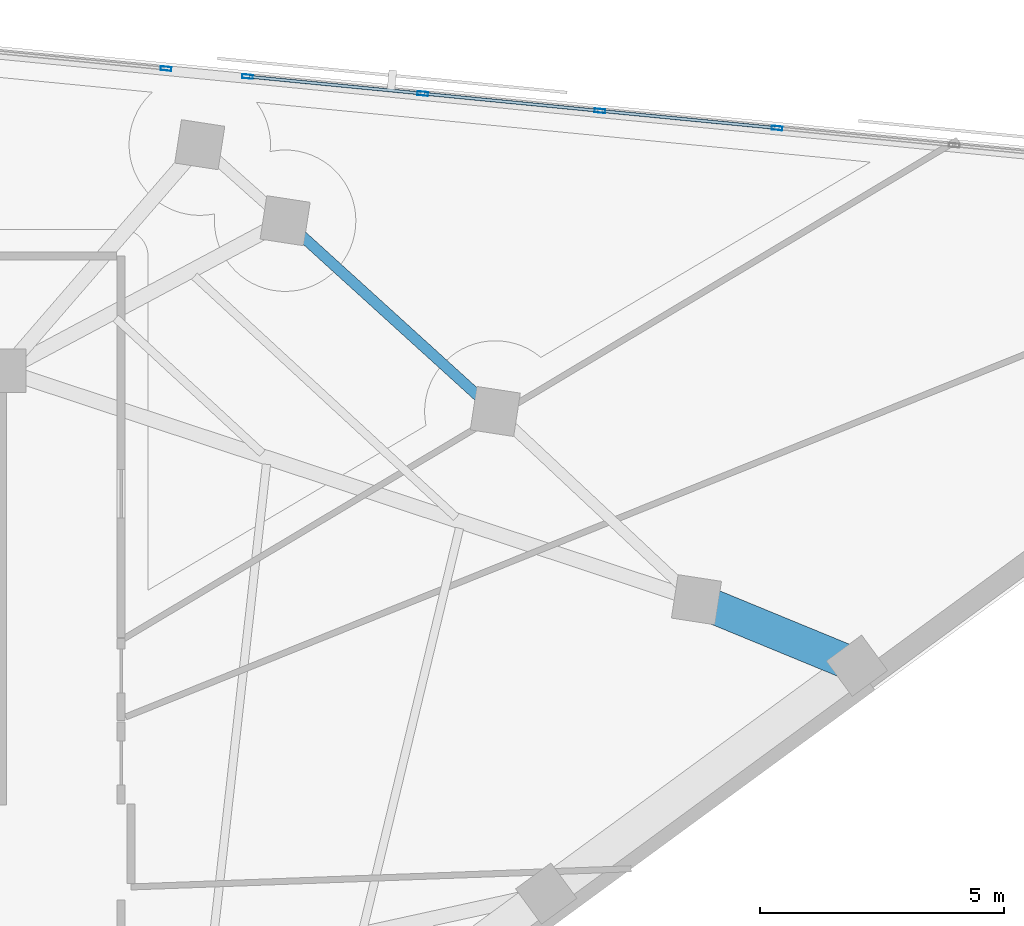
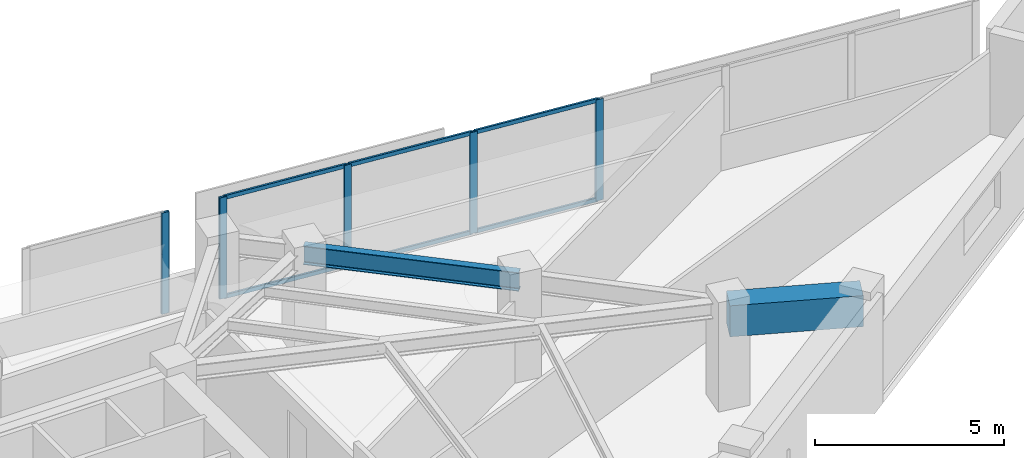
# One storey, part 5 of 13: 11 members, 2 beams, 2 elements without a shape of their own.
"""IFC4 building model written with IfcOpenShell, lengths in metres."""

import ifcopenshell
import ifcopenshell.guid

model = None  # the IFC model being written
_history = None  # IfcOwnerHistory: only IFC2X3 demands one
_inside = {}  # id of a spatial element -> (the spatial element, [elements in it])
_under = {}  # id of a project, library or spatial element -> (it, [spatial elements below it])
_declared = {}  # id of a project -> (the project, [libraries it declares])
_typed = {}  # id of a type object -> (the type object, [elements of that type])
_made_of = {}  # id of a material, layer set ... -> (it, [elements and type objects made of it])


def new_model(schema):
    """Start an empty IFC model of exactly this schema.

    Asked for "IFC4X3", IfcOpenShell would pick the latest addendum, in which some entities
    have other attributes; the version numbers below select the first issue.
    IFC2X3 requires an IfcOwnerHistory on every rooted entity: one is made here for all.
    """
    global model, _history
    if schema == "IFC4X3":
        model = ifcopenshell.file(schema_version=(4, 3, 0, 0))
    else:
        model = ifcopenshell.file(schema=schema)
    _inside.clear()
    _under.clear()
    _declared.clear()
    _typed.clear()
    _made_of.clear()
    _history = None
    if model.schema == "IFC2X3":
        org = make("IfcOrganization", Name="unknown")
        user = make(
            "IfcPersonAndOrganization",
            ThePerson=make("IfcPerson", FamilyName="unknown"),
            TheOrganization=org,
        )
        app = make(
            "IfcApplication",
            ApplicationDeveloper=org,
            Version="unknown",
            ApplicationFullName="unknown",
            ApplicationIdentifier="unknown",
        )
        _history = make(
            "IfcOwnerHistory",
            OwningUser=user,
            OwningApplication=app,
            ChangeAction="ADDED",
            CreationDate=0,
        )
    return model


def make(cls, **values):
    """One entity of the class cls with the attributes given. An attribute that is None is left unset."""
    return model.create_entity(
        cls, **{name: value for name, value in values.items() if value is not None}
    )


def rooted(cls, **values):
    """An entity with a GlobalId (a new one), such as an element, a storey or a relation."""
    return make(cls, GlobalId=ifcopenshell.guid.new(), OwnerHistory=_history, **values)


def si_unit(unit_type, name, prefix=None):
    """IfcSIUnit, for example si_unit("LENGTHUNIT", "METRE", prefix="MILLI")."""
    return make("IfcSIUnit", UnitType=unit_type, Prefix=prefix, Name=name)


def assignment(units):
    """IfcUnitAssignment: the units of a project."""
    return None if units is None else make("IfcUnitAssignment", Units=units)


def point(xyz):
    """IfcCartesianPoint."""
    return None if xyz is None else make("IfcCartesianPoint", Coordinates=xyz)


def direction(xyz):
    """IfcDirection."""
    return None if xyz is None else make("IfcDirection", DirectionRatios=xyz)


def frame(location, z_axis=None, x_axis=None):
    """IfcAxis2Placement3D, a coordinate frame: its origin and axes. An axis left out is left unset."""
    return make(
        "IfcAxis2Placement3D",
        Location=point(location),
        Axis=direction(z_axis),
        RefDirection=direction(x_axis),
    )


def frame_2d(location, x_axis=None):
    """IfcAxis2Placement2D, a coordinate frame in the plane: its origin and x axis."""
    return make(
        "IfcAxis2Placement2D", Location=point(location), RefDirection=direction(x_axis)
    )


def origin():
    """The frame at (0, 0, 0) with its axes left unset."""
    return frame((0.0, 0.0, 0.0))


def origin_2d():
    """The frame at (0, 0) in the plane with its x axis left unset."""
    return frame_2d((0.0, 0.0))


def place(relative_to, where):
    """IfcLocalPlacement: puts the frame where relative to a parent placement (None: the world)."""
    return make(
        "IfcLocalPlacement", PlacementRelTo=relative_to, RelativePlacement=where
    )


def context(
    kind, dimensions, precision=None, world=None, true_north=None, identifier=None
):
    """IfcGeometricRepresentationContext, for example the 3D "Model" context."""
    return make(
        "IfcGeometricRepresentationContext",
        ContextIdentifier=identifier,
        ContextType=kind,
        CoordinateSpaceDimension=dimensions,
        Precision=precision,
        WorldCoordinateSystem=world,
        TrueNorth=true_north,
    )


def subcontext(parent, identifier, kind, view, scale=None):
    """IfcGeometricRepresentationSubContext, for example "Body" below "Model"."""
    return make(
        "IfcGeometricRepresentationSubContext",
        ContextIdentifier=identifier,
        ContextType=kind,
        ParentContext=parent,
        TargetScale=scale,
        TargetView=view,
    )


def project(units=None, contexts=None):
    """IfcProject with its units and contexts."""
    return rooted(
        "IfcProject",
        Name="project",
        RepresentationContexts=contexts,
        UnitsInContext=assignment(units),
    )


def spatial(cls, under=None, at=None, **own):
    """A site, building, storey or space (cls), placed at a placement, below another one or the project."""
    s = rooted(cls, ObjectPlacement=at, **own)
    if under is not None:
        _under.setdefault(under.id(), (under, []))[1].append(s)
    return s


def profile(cls, at=None, kind="AREA", **sizes):
    """A parametric profile (cls). Its sizes go by their IFC names, for example OverallWidth=200.0."""
    return make(cls, ProfileType=kind, Position=at, **sizes)


def rectangle(**sizes):
    """IfcRectangleProfileDef."""
    return profile("IfcRectangleProfileDef", **sizes)


def hollow_rectangle(**sizes):
    """IfcRectangleHollowProfileDef."""
    return profile("IfcRectangleHollowProfileDef", **sizes)


def i_section(**sizes):
    """IfcIShapeProfileDef."""
    return profile("IfcIShapeProfileDef", **sizes)


def extrude(swept, where, along, depth):
    """IfcExtrudedAreaSolid: the profile swept, set in the frame where, extruded along a direction by depth."""
    return make(
        "IfcExtrudedAreaSolid",
        SweptArea=swept,
        Position=where,
        ExtrudedDirection=direction(along),
        Depth=depth,
    )


def shape(context_of_items, identifier, shape_type, items):
    """IfcShapeRepresentation: the items that make up one representation, for example the "Body"."""
    return make(
        "IfcShapeRepresentation",
        ContextOfItems=context_of_items,
        RepresentationIdentifier=identifier,
        RepresentationType=shape_type,
        Items=items,
    )


def material(Name=None, Category=None):
    """IfcMaterial."""
    return make("IfcMaterial", Name=Name, Category=Category)


def material_profile(
    of_material, cross_section, Name=None, Category=None, Priority=None
):
    """IfcMaterialProfile: a cross section and its material."""
    return make(
        "IfcMaterialProfile",
        Name=Name,
        Material=of_material,
        Profile=cross_section,
        Priority=Priority,
        Category=Category,
    )


def profile_set(profiles, Name=None, composite=None):
    """IfcMaterialProfileSet."""
    return make(
        "IfcMaterialProfileSet",
        Name=Name,
        MaterialProfiles=profiles,
        CompositeProfile=composite,
    )


def made_of(thing, what):
    """Note that an element or type object is made of a material, layer set ...; save() writes the relation."""
    if what is not None:
        _made_of.setdefault(what.id(), (what, []))[1].append(thing)
    return thing


def type_object(cls, material=None, **own):
    """A type object (cls), such as IfcWallType, which elements share."""
    return made_of(rooted(cls, **own), material)


def element(
    cls,
    number,
    at=None,
    inside=None,
    cuts=None,
    type_object=None,
    material=None,
    context=None,
    identifier="Body",
    shape_type=None,
    held_by="IfcProductDefinitionShape",
    body=None,
    shapes=None,
    **own,
):
    """One element of the class cls, such as IfcWall. Its Tag is "e" and its number.

    at: its placement. inside: the storey or other place that contains it. cuts: it is an
    opening in that element (IfcRelVoidsElement). A single representation is given by context,
    identifier, shape_type and body (its items); several are given by shapes. held_by: the class
    of the entity that holds the representations. save() writes the other relations.
    """
    e = rooted(cls, Tag="e%d" % number, ObjectPlacement=at, **own)
    if body is not None:
        shapes = [shape(context, identifier, shape_type, body)]
    if shapes is not None:
        e.Representation = make(held_by, Representations=shapes)
    if inside is not None:
        _inside.setdefault(inside.id(), (inside, []))[1].append(e)
    if cuts is not None:
        rooted(
            "IfcRelVoidsElement", RelatingBuildingElement=cuts, RelatedOpeningElement=e
        )
    if type_object is not None:
        _typed.setdefault(type_object.id(), (type_object, []))[1].append(e)
    return made_of(e, material)


def aggregate(whole, parts):
    """IfcRelAggregates: a whole, such as a stair, and the parts it consists of."""
    return rooted("IfcRelAggregates", RelatingObject=whole, RelatedObjects=parts)


def save(model, path):
    """Write the relations noted so far, then the file.

    IfcRelAggregates (storeys below a building ...), IfcRelContainedInSpatialStructure (elements
    in a storey), IfcRelDefinesByType, IfcRelAssociatesMaterial and IfcRelDeclares: one each for
    every whole, place, type object, material and project.
    """
    for whole, parts in _under.values():
        aggregate(whole, parts)
    for where, things in _inside.values():
        rooted(
            "IfcRelContainedInSpatialStructure",
            RelatedElements=things,
            RelatingStructure=where,
        )
    for kind, things in _typed.values():
        rooted("IfcRelDefinesByType", RelatedObjects=things, RelatingType=kind)
    for what, things in _made_of.values():
        rooted("IfcRelAssociatesMaterial", RelatedObjects=things, RelatingMaterial=what)
    for by, libraries in _declared.values():
        rooted("IfcRelDeclares", RelatingContext=by, RelatedDefinitions=libraries)
    model.write(path)


model = new_model("IFC4")

# Units and contexts
model_context = context("Model", 3, precision=1e-05, world=origin(), true_north=direction((0.0, 1.0)))
body_context = subcontext(model_context, "Body", "Model", "MODEL_VIEW")
ifc_project = project(units=[si_unit("LENGTHUNIT", "METRE"), si_unit("AREAUNIT", "SQUARE_METRE"), si_unit("VOLUMEUNIT", "CUBIC_METRE"), si_unit("PLANEANGLEUNIT", "RADIAN"), si_unit("MASSUNIT", "GRAM", prefix="KILO")], contexts=[model_context])

# Site, building, storey
site_placement = place(None, origin())
site = spatial("IfcSite", under=ifc_project, at=site_placement, CompositionType="ELEMENT")
building_placement = place(site_placement, origin())
building = spatial("IfcBuilding", under=site, at=building_placement, Name="Narakoshi Arena Tower", CompositionType="ELEMENT")
storey_placement = place(building_placement, frame((0.0, 0.0, 253.699951171875)))
storey = spatial("IfcBuildingStorey", under=building, at=storey_placement, Name="L69", CompositionType="ELEMENT", Elevation=253.699951171875)

# Beams
ifc_material_1 = material(Name="Concrete C60/75", Category="concrete")
ifc_material_profile_1 = material_profile(ifc_material_1, rectangle(XDim=0.699951171875, YDim=1.0, at=origin_2d()), Name="RCB700x1000")
ifc_profile_set_1 = profile_set([ifc_material_profile_1], Name="Concrete C60/75")
beam_type_1 = type_object("IfcBeamType", Name="BM-CPL-1000", PredefinedType="BEAM", material=ifc_profile_set_1)
beam_1_placement = place(storey_placement, frame((103.032470703125, 50.45361328125, 2.760009765625), z_axis=(-0.924787502584, 0.380484001063, 0.0), x_axis=(-0.380484001063, -0.924787502584, 0.0)))
element("IfcBeam", 1, at=beam_1_placement, inside=storey, type_object=beam_type_1, Name="L69 Perimeter Edge Girder 03", PredefinedType="BEAM", context=body_context, shape_type="SweptSolid", body=[
    extrude(rectangle(XDim=0.699951171875, YDim=1.0, at=origin_2d()), origin(), (0.0, 0.0, 1.0), 3.557373046875),
])
ifc_material_2 = material(Name="Structural steel S355J2", Category="steel")
ifc_material_profile_2 = material_profile(ifc_material_2, i_section(OverallWidth=0.219970703125, OverallDepth=0.60009765625, WebThickness=0.011962890625, FlangeThickness=0.01904296875, FilletRadius=0.02392578125, at=origin_2d()), Name="IPE600")
ifc_profile_set_2 = profile_set([ifc_material_profile_2], Name="Structural steel S355J2")
beam_type_2 = type_object("IfcBeamType", Name="BM-EDGE-600", PredefinedType="BEAM", material=ifc_profile_set_2)
beam_2_placement = place(storey_placement, frame((95.619384765625, 55.665283203125, 2.9599609375), z_axis=(-0.740395559013, 0.672171418757, 0.0), x_axis=(-0.672171418757, -0.740395559013, 0.0)))
element("IfcBeam", 2, at=beam_2_placement, inside=storey, type_object=beam_type_2, Name="L69 Perimeter Edge Girder 05", PredefinedType="BEAM", context=body_context, shape_type="SweptSolid", body=[
    extrude(i_section(OverallWidth=0.219970703125, OverallDepth=0.60009765625, WebThickness=0.011962890625, FlangeThickness=0.01904296875, FilletRadius=0.02392578125, at=origin_2d()), origin(), (0.0, 0.0, 1.0), 5.818603515625),
])

# Curtain wall, members
ifc_material_3 = material(Name="Anodised bronze aluminium 6063-T6", Category="aluminium")
curtain_wall_type = type_object("IfcCurtainWallType", Name="CW-HYP-HIGH", PredefinedType="NOTDEFINED", material=ifc_material_3)
curtain_wall_1_placement = place(storey_placement, origin())
curtain_wall_1 = element("IfcCurtainWall", 3, at=curtain_wall_1_placement, inside=storey, type_object=curtain_wall_type, Name="L69 Folded Hypotenuse Curtain Wall 1-1", PredefinedType="NOTDEFINED")
ifc_material_profile_3 = material_profile(ifc_material_3, hollow_rectangle(XDim=0.080078125, YDim=0.219970703125, WallThickness=0.0048828125, OuterFilletRadius=0.006103515625, at=origin_2d()), Name="MUL220x80x5")
ifc_profile_set_3 = profile_set([ifc_material_profile_3], Name="Anodised bronze aluminium 6063-T6")
member_type_1 = type_object("IfcMemberType", Name="MEM-MUL-220", PredefinedType="MULLION", material=ifc_profile_set_3)
member_1_placement = place(storey_placement, frame((101.3955078125, 61.47509765625, 0.0), z_axis=(0.0, 0.0, 1.0), x_axis=(-0.096851320996, -0.995298860454, 0.0)))
member_1 = element("IfcMember", 4, at=member_1_placement, type_object=member_type_1, Name="CW-03 mullion 4", PredefinedType="MULLION", context=body_context, shape_type="SweptSolid", body=[
    extrude(hollow_rectangle(XDim=0.080078125, YDim=0.219970703125, WallThickness=0.0048828125, OuterFilletRadius=0.006103515625, at=origin_2d()), origin(), (0.0, 0.0, 1.0), 3.260009765625),
])
member_2_placement = place(storey_placement, frame((97.763916015625, 61.828369140625, 0.0), z_axis=(0.0, 0.0, 1.0), x_axis=(-0.096851320996, -0.995298860454, 0.0)))
member_2 = element("IfcMember", 5, at=member_2_placement, type_object=member_type_1, Name="CW-03 mullion 5", PredefinedType="MULLION", context=body_context, shape_type="SweptSolid", body=[
    extrude(hollow_rectangle(XDim=0.080078125, YDim=0.219970703125, WallThickness=0.0048828125, OuterFilletRadius=0.006103515625, at=origin_2d()), origin(), (0.0, 0.0, 1.0), 3.260009765625),
])
member_3_placement = place(storey_placement, frame((94.13232421875, 62.181884765625, 0.0), z_axis=(0.0, 0.0, 1.0), x_axis=(-0.096851320996, -0.995298860454, 0.0)))
member_3 = element("IfcMember", 6, at=member_3_placement, type_object=member_type_1, Name="CW-03 mullion 6", PredefinedType="MULLION", context=body_context, shape_type="SweptSolid", body=[
    extrude(hollow_rectangle(XDim=0.080078125, YDim=0.219970703125, WallThickness=0.0048828125, OuterFilletRadius=0.006103515625, at=origin_2d()), origin(), (0.0, 0.0, 1.0), 3.260009765625),
])
member_4_placement = place(storey_placement, frame((90.54052734375, 62.53125, 0.0), z_axis=(0.0, 0.0, 1.0), x_axis=(-0.096851320996, -0.995298860454, 0.0)))
member_4 = element("IfcMember", 7, at=member_4_placement, type_object=member_type_1, Name="CW-03 mullion 7", PredefinedType="MULLION", context=body_context, shape_type="SweptSolid", body=[
    extrude(hollow_rectangle(XDim=0.080078125, YDim=0.219970703125, WallThickness=0.0048828125, OuterFilletRadius=0.006103515625, at=origin_2d()), origin(), (0.0, 0.0, 1.0), 3.260009765625),
])

# Curtain wall, member
curtain_wall_2_placement = place(storey_placement, origin())
curtain_wall_2 = element("IfcCurtainWall", 8, at=curtain_wall_2_placement, inside=storey, type_object=curtain_wall_type, Name="L69 Folded Hypotenuse Curtain Wall 1-2", PredefinedType="NOTDEFINED")
member_5_placement = place(storey_placement, frame((88.87060546875, 62.69384765625, 0.0), z_axis=(0.0, 0.0, 1.0), x_axis=(-0.096842858471, -0.995299683896, 0.0)))
member_5 = element("IfcMember", 9, at=member_5_placement, type_object=member_type_1, Name="CW-03 mullion 1", PredefinedType="MULLION", context=body_context, shape_type="SweptSolid", body=[
    extrude(hollow_rectangle(XDim=0.080078125, YDim=0.219970703125, WallThickness=0.0048828125, OuterFilletRadius=0.006103515625, at=origin_2d()), origin(), (0.0, 0.0, 1.0), 3.260009765625),
])
aggregate(curtain_wall_2, [member_5])

# Member
ifc_material_profile_4 = material_profile(ifc_material_3, hollow_rectangle(XDim=0.06494140625, YDim=0.1298828125, WallThickness=0.00390625, OuterFilletRadius=0.0048828125, at=origin_2d()), Name="TRN130x65x4")
ifc_profile_set_4 = profile_set([ifc_material_profile_4], Name="Anodised bronze aluminium 6063-T6")
member_type_2 = type_object("IfcMemberType", Name="MEM-TRN-130", PredefinedType="USERDEFINED", material=ifc_profile_set_4)
member_6_placement = place(storey_placement, frame((101.355712890625, 61.47900390625, 0.032470703125), z_axis=(-0.995303775278, 0.096800800194, 0.0), x_axis=(-0.096800800194, -0.995303775278, 0.0)))
member_6 = element("IfcMember", 10, at=member_6_placement, type_object=member_type_2, Name="CW-03 transom 4.1", ObjectType="TRANSOM", PredefinedType="USERDEFINED", context=body_context, shape_type="SweptSolid", body=[
    extrude(hollow_rectangle(XDim=0.06494140625, YDim=0.1298828125, WallThickness=0.00390625, OuterFilletRadius=0.0048828125, at=origin_2d()), origin(), (0.0, 0.0, 1.0), 3.56884765625),
])

member_7_placement = place(storey_placement, frame((101.355712890625, 61.47900390625, 3.2275390625), z_axis=(-0.995303775278, 0.096800800194, 0.0), x_axis=(-0.096800800194, -0.995303775278, 0.0)))
member_7 = element("IfcMember", 11, at=member_7_placement, type_object=member_type_2, Name="CW-03 transom 4.2", ObjectType="TRANSOM", PredefinedType="USERDEFINED", context=body_context, shape_type="SweptSolid", body=[
    extrude(hollow_rectangle(XDim=0.06494140625, YDim=0.1298828125, WallThickness=0.00390625, OuterFilletRadius=0.0048828125, at=origin_2d()), origin(), (0.0, 0.0, 1.0), 3.56884765625),
])

member_8_placement = place(storey_placement, frame((97.72412109375, 61.832275390625, 0.032470703125), z_axis=(-0.995297181926, 0.096868568947, 0.0), x_axis=(-0.096868568947, -0.995297181926, 0.0)))
member_8 = element("IfcMember", 12, at=member_8_placement, type_object=member_type_2, Name="CW-03 transom 5.1", ObjectType="TRANSOM", PredefinedType="USERDEFINED", context=body_context, shape_type="SweptSolid", body=[
    extrude(hollow_rectangle(XDim=0.06494140625, YDim=0.1298828125, WallThickness=0.00390625, OuterFilletRadius=0.0048828125, at=origin_2d()), origin(), (0.0, 0.0, 1.0), 3.56884765625),
])

member_9_placement = place(storey_placement, frame((97.72412109375, 61.832275390625, 3.2275390625), z_axis=(-0.995297181926, 0.096868568947, 0.0), x_axis=(-0.096868568947, -0.995297181926, 0.0)))
member_9 = element("IfcMember", 13, at=member_9_placement, type_object=member_type_2, Name="CW-03 transom 5.2", ObjectType="TRANSOM", PredefinedType="USERDEFINED", context=body_context, shape_type="SweptSolid", body=[
    extrude(hollow_rectangle(XDim=0.06494140625, YDim=0.1298828125, WallThickness=0.00390625, OuterFilletRadius=0.0048828125, at=origin_2d()), origin(), (0.0, 0.0, 1.0), 3.56884765625),
])

member_10_placement = place(storey_placement, frame((94.092529296875, 62.185791015625, 0.032470703125), z_axis=(-0.995304755232, 0.096790723799, 0.0), x_axis=(-0.096790723799, -0.995304755232, 0.0)))
member_10 = element("IfcMember", 14, at=member_10_placement, type_object=member_type_2, Name="CW-03 transom 6.1", ObjectType="TRANSOM", PredefinedType="USERDEFINED", context=body_context, shape_type="SweptSolid", body=[
    extrude(hollow_rectangle(XDim=0.06494140625, YDim=0.1298828125, WallThickness=0.00390625, OuterFilletRadius=0.0048828125, at=origin_2d()), origin(), (0.0, 0.0, 1.0), 3.52880859375),
])

member_11_placement = place(storey_placement, frame((94.092529296875, 62.185791015625, 3.2275390625), z_axis=(-0.995304755232, 0.096790723799, 0.0), x_axis=(-0.096790723799, -0.995304755232, 0.0)))
member_11 = element("IfcMember", 15, at=member_11_placement, type_object=member_type_2, Name="CW-03 transom 6.2", ObjectType="TRANSOM", PredefinedType="USERDEFINED", context=body_context, shape_type="SweptSolid", body=[
    extrude(hollow_rectangle(XDim=0.06494140625, YDim=0.1298828125, WallThickness=0.00390625, OuterFilletRadius=0.0048828125, at=origin_2d()), origin(), (0.0, 0.0, 1.0), 3.52880859375),
])

aggregate(curtain_wall_1, [member_1, member_2, member_3, member_4, member_6, member_7, member_8, member_9, member_10, member_11])

save(model, "model.ifc")
